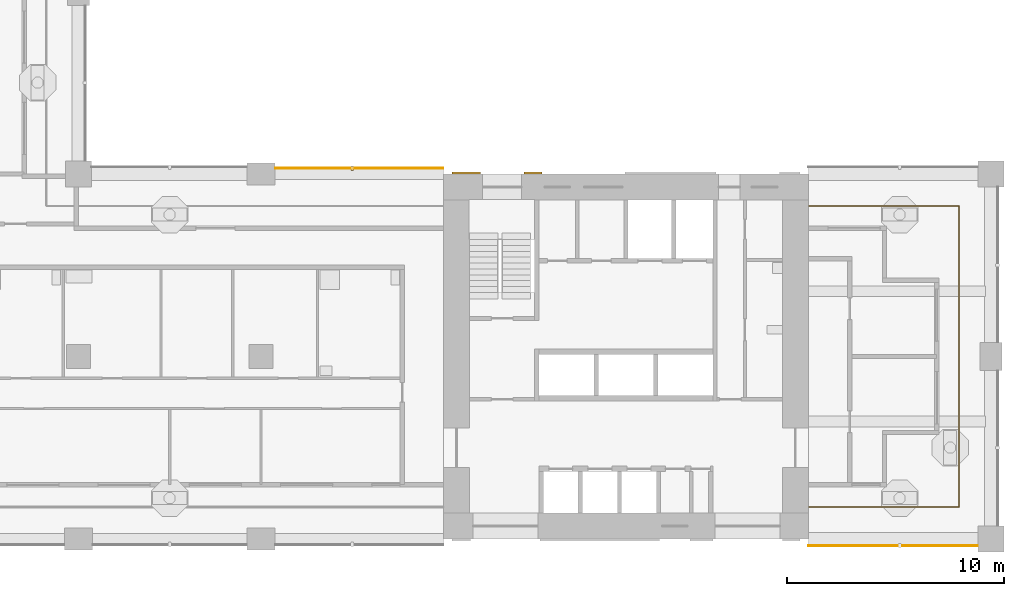
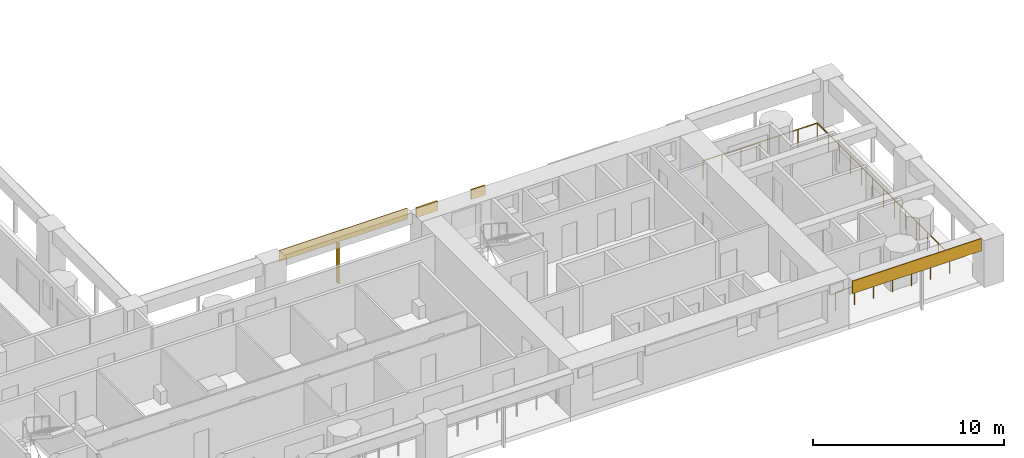
# One storey, part 12 of 18: 5 shading devices, 1 railing.
"""IFC4 building model written with IfcOpenShell, lengths in metres."""

import ifcopenshell
import ifcopenshell.guid

model = None  # the IFC model being written
_history = None  # IfcOwnerHistory: only IFC2X3 demands one
_inside = {}  # id of a spatial element -> (the spatial element, [elements in it])
_under = {}  # id of a project, library or spatial element -> (it, [spatial elements below it])
_declared = {}  # id of a project -> (the project, [libraries it declares])
_typed = {}  # id of a type object -> (the type object, [elements of that type])
_made_of = {}  # id of a material, layer set ... -> (it, [elements and type objects made of it])


def new_model(schema):
    """Start an empty IFC model of exactly this schema.

    Asked for "IFC4X3", IfcOpenShell would pick the latest addendum, in which some entities
    have other attributes; the version numbers below select the first issue.
    IFC2X3 requires an IfcOwnerHistory on every rooted entity: one is made here for all.
    """
    global model, _history
    if schema == "IFC4X3":
        model = ifcopenshell.file(schema_version=(4, 3, 0, 0))
    else:
        model = ifcopenshell.file(schema=schema)
    _inside.clear()
    _under.clear()
    _declared.clear()
    _typed.clear()
    _made_of.clear()
    _history = None
    if model.schema == "IFC2X3":
        org = make("IfcOrganization", Name="unknown")
        user = make(
            "IfcPersonAndOrganization",
            ThePerson=make("IfcPerson", FamilyName="unknown"),
            TheOrganization=org,
        )
        app = make(
            "IfcApplication",
            ApplicationDeveloper=org,
            Version="unknown",
            ApplicationFullName="unknown",
            ApplicationIdentifier="unknown",
        )
        _history = make(
            "IfcOwnerHistory",
            OwningUser=user,
            OwningApplication=app,
            ChangeAction="ADDED",
            CreationDate=0,
        )
    return model


def make(cls, **values):
    """One entity of the class cls with the attributes given. An attribute that is None is left unset."""
    return model.create_entity(
        cls, **{name: value for name, value in values.items() if value is not None}
    )


def rooted(cls, **values):
    """An entity with a GlobalId (a new one), such as an element, a storey or a relation."""
    return make(cls, GlobalId=ifcopenshell.guid.new(), OwnerHistory=_history, **values)


def si_unit(unit_type, name, prefix=None):
    """IfcSIUnit, for example si_unit("LENGTHUNIT", "METRE", prefix="MILLI")."""
    return make("IfcSIUnit", UnitType=unit_type, Prefix=prefix, Name=name)


def assignment(units):
    """IfcUnitAssignment: the units of a project."""
    return None if units is None else make("IfcUnitAssignment", Units=units)


def point(xyz):
    """IfcCartesianPoint."""
    return None if xyz is None else make("IfcCartesianPoint", Coordinates=xyz)


def direction(xyz):
    """IfcDirection."""
    return None if xyz is None else make("IfcDirection", DirectionRatios=xyz)


def frame(location, z_axis=None, x_axis=None):
    """IfcAxis2Placement3D, a coordinate frame: its origin and axes. An axis left out is left unset."""
    return make(
        "IfcAxis2Placement3D",
        Location=point(location),
        Axis=direction(z_axis),
        RefDirection=direction(x_axis),
    )


def frame_2d(location, x_axis=None):
    """IfcAxis2Placement2D, a coordinate frame in the plane: its origin and x axis."""
    return make(
        "IfcAxis2Placement2D", Location=point(location), RefDirection=direction(x_axis)
    )


def origin():
    """The frame at (0, 0, 0) with its axes left unset."""
    return frame((0.0, 0.0, 0.0))


def origin_2d():
    """The frame at (0, 0) in the plane with its x axis left unset."""
    return frame_2d((0.0, 0.0))


def place(relative_to, where):
    """IfcLocalPlacement: puts the frame where relative to a parent placement (None: the world)."""
    return make(
        "IfcLocalPlacement", PlacementRelTo=relative_to, RelativePlacement=where
    )


def context(
    kind, dimensions, precision=None, world=None, true_north=None, identifier=None
):
    """IfcGeometricRepresentationContext, for example the 3D "Model" context."""
    return make(
        "IfcGeometricRepresentationContext",
        ContextIdentifier=identifier,
        ContextType=kind,
        CoordinateSpaceDimension=dimensions,
        Precision=precision,
        WorldCoordinateSystem=world,
        TrueNorth=true_north,
    )


def subcontext(parent, identifier, kind, view, scale=None):
    """IfcGeometricRepresentationSubContext, for example "Body" below "Model"."""
    return make(
        "IfcGeometricRepresentationSubContext",
        ContextIdentifier=identifier,
        ContextType=kind,
        ParentContext=parent,
        TargetScale=scale,
        TargetView=view,
    )


def project(units=None, contexts=None):
    """IfcProject with its units and contexts."""
    return rooted(
        "IfcProject",
        Name="project",
        RepresentationContexts=contexts,
        UnitsInContext=assignment(units),
    )


def spatial(cls, under=None, at=None, **own):
    """A site, building, storey or space (cls), placed at a placement, below another one or the project."""
    s = rooted(cls, ObjectPlacement=at, **own)
    if under is not None:
        _under.setdefault(under.id(), (under, []))[1].append(s)
    return s


def profile(cls, at=None, kind="AREA", **sizes):
    """A parametric profile (cls). Its sizes go by their IFC names, for example OverallWidth=200.0."""
    return make(cls, ProfileType=kind, Position=at, **sizes)


def rectangle(**sizes):
    """IfcRectangleProfileDef."""
    return profile("IfcRectangleProfileDef", **sizes)


def circle(**sizes):
    """IfcCircleProfileDef."""
    return profile("IfcCircleProfileDef", **sizes)


def extrude(swept, where, along, depth):
    """IfcExtrudedAreaSolid: the profile swept, set in the frame where, extruded along a direction by depth."""
    return make(
        "IfcExtrudedAreaSolid",
        SweptArea=swept,
        Position=where,
        ExtrudedDirection=direction(along),
        Depth=depth,
    )


def shape(context_of_items, identifier, shape_type, items):
    """IfcShapeRepresentation: the items that make up one representation, for example the "Body"."""
    return make(
        "IfcShapeRepresentation",
        ContextOfItems=context_of_items,
        RepresentationIdentifier=identifier,
        RepresentationType=shape_type,
        Items=items,
    )


def material(Name=None, Category=None):
    """IfcMaterial."""
    return make("IfcMaterial", Name=Name, Category=Category)


def layer(
    of_material, thickness, ventilated=None, Name=None, Category=None, Priority=None
):
    """IfcMaterialLayer: one layer of a wall or slab, of a material (None: an air gap)."""
    return make(
        "IfcMaterialLayer",
        Material=of_material,
        LayerThickness=thickness,
        IsVentilated=ventilated,
        Name=Name,
        Category=Category,
        Priority=Priority,
    )


def layer_set(layers, Name=None):
    """IfcMaterialLayerSet."""
    return make("IfcMaterialLayerSet", MaterialLayers=layers, LayerSetName=Name)


def material_profile(
    of_material, cross_section, Name=None, Category=None, Priority=None
):
    """IfcMaterialProfile: a cross section and its material."""
    return make(
        "IfcMaterialProfile",
        Name=Name,
        Material=of_material,
        Profile=cross_section,
        Priority=Priority,
        Category=Category,
    )


def profile_set(profiles, Name=None, composite=None):
    """IfcMaterialProfileSet."""
    return make(
        "IfcMaterialProfileSet",
        Name=Name,
        MaterialProfiles=profiles,
        CompositeProfile=composite,
    )


def made_of(thing, what):
    """Note that an element or type object is made of a material, layer set ...; save() writes the relation."""
    if what is not None:
        _made_of.setdefault(what.id(), (what, []))[1].append(thing)
    return thing


def type_object(cls, material=None, **own):
    """A type object (cls), such as IfcWallType, which elements share."""
    return made_of(rooted(cls, **own), material)


def element(
    cls,
    number,
    at=None,
    inside=None,
    cuts=None,
    type_object=None,
    material=None,
    context=None,
    identifier="Body",
    shape_type=None,
    held_by="IfcProductDefinitionShape",
    body=None,
    shapes=None,
    **own,
):
    """One element of the class cls, such as IfcWall. Its Tag is "e" and its number.

    at: its placement. inside: the storey or other place that contains it. cuts: it is an
    opening in that element (IfcRelVoidsElement). A single representation is given by context,
    identifier, shape_type and body (its items); several are given by shapes. held_by: the class
    of the entity that holds the representations. save() writes the other relations.
    """
    e = rooted(cls, Tag="e%d" % number, ObjectPlacement=at, **own)
    if body is not None:
        shapes = [shape(context, identifier, shape_type, body)]
    if shapes is not None:
        e.Representation = make(held_by, Representations=shapes)
    if inside is not None:
        _inside.setdefault(inside.id(), (inside, []))[1].append(e)
    if cuts is not None:
        rooted(
            "IfcRelVoidsElement", RelatingBuildingElement=cuts, RelatedOpeningElement=e
        )
    if type_object is not None:
        _typed.setdefault(type_object.id(), (type_object, []))[1].append(e)
    return made_of(e, material)


def aggregate(whole, parts):
    """IfcRelAggregates: a whole, such as a stair, and the parts it consists of."""
    return rooted("IfcRelAggregates", RelatingObject=whole, RelatedObjects=parts)


def save(model, path):
    """Write the relations noted so far, then the file.

    IfcRelAggregates (storeys below a building ...), IfcRelContainedInSpatialStructure (elements
    in a storey), IfcRelDefinesByType, IfcRelAssociatesMaterial and IfcRelDeclares: one each for
    every whole, place, type object, material and project.
    """
    for whole, parts in _under.values():
        aggregate(whole, parts)
    for where, things in _inside.values():
        rooted(
            "IfcRelContainedInSpatialStructure",
            RelatedElements=things,
            RelatingStructure=where,
        )
    for kind, things in _typed.values():
        rooted("IfcRelDefinesByType", RelatedObjects=things, RelatingType=kind)
    for what, things in _made_of.values():
        rooted("IfcRelAssociatesMaterial", RelatedObjects=things, RelatingMaterial=what)
    for by, libraries in _declared.values():
        rooted("IfcRelDeclares", RelatingContext=by, RelatedDefinitions=libraries)
    model.write(path)


model = new_model("IFC4")

# Units and contexts
model_context = context("Model", 3, precision=1e-05, world=origin(), true_north=direction((0.0, 1.0)))
body_context = subcontext(model_context, "Body", "Model", "MODEL_VIEW")
ifc_project = project(units=[si_unit("LENGTHUNIT", "METRE"), si_unit("AREAUNIT", "SQUARE_METRE"), si_unit("VOLUMEUNIT", "CUBIC_METRE"), si_unit("PLANEANGLEUNIT", "RADIAN"), si_unit("MASSUNIT", "GRAM", prefix="KILO")], contexts=[model_context])

# Site, building, storey
site_placement = place(None, origin())
site = spatial("IfcSite", under=ifc_project, at=site_placement, CompositionType="ELEMENT")
building_placement = place(site_placement, origin())
building = spatial("IfcBuilding", under=site, at=building_placement, Name="Vermilion Gate Residences", CompositionType="ELEMENT")
storey_placement = place(building_placement, frame((0.0, 0.0, 137.199951171875)))
storey = spatial("IfcBuildingStorey", under=building, at=storey_placement, Name="L35", CompositionType="ELEMENT", Elevation=137.199951171875)

# Railing
ifc_material_1 = material(Name="Stainless steel and toughened glass", Category="steel")
railing_type = type_object("IfcRailingType", Name="LOGGIA GUARD STEEL AND GLASS 1200", PredefinedType="GUARDRAIL", material=ifc_material_1)
railing_placement = place(storey_placement, frame((58.822021484375, 9.875, 0.0)))
element("IfcRailing", 1, at=railing_placement, inside=storey, type_object=railing_type, Name="Loggia guard", PredefinedType="GUARDRAIL", context=body_context, shape_type="SweptSolid", body=[
    extrude(circle(Radius=0.030029296875, at=origin_2d()), frame((0.0, 0.0, 1.169921875), z_axis=(1.0, 0.0, 0.0), x_axis=(0.0, 1.0, 0.0)), (0.0, 0.0, 1.0), 6.903076171875),
    extrude(circle(Radius=0.030029296875, at=origin_2d()), frame((6.903076171875, 0.0, 1.169921875), z_axis=(0.0, 1.0, 0.0), x_axis=(-1.0, 0.0, 0.0)), (0.0, 0.0, 1.0), 13.85009765625),
    extrude(circle(Radius=0.030029296875, at=origin_2d()), frame((6.903076171875, 13.85009765625, 1.169921875), z_axis=(-1.0, 0.0, 0.0), x_axis=(0.0, -1.0, 0.0)), (0.0, 0.0, 1.0), 6.903076171875),
    extrude(circle(Radius=0.02490234375, at=origin_2d()), origin(), (0.0, 0.0, 1.0), 1.139892578125),
    extrude(circle(Radius=0.02490234375, at=origin_2d()), frame((1.150390625, 0.0, 0.0)), (0.0, 0.0, 1.0), 1.139892578125),
    extrude(circle(Radius=0.02490234375, at=origin_2d()), frame((2.301025390625, 0.0, 0.0)), (0.0, 0.0, 1.0), 1.139892578125),
    extrude(circle(Radius=0.02490234375, at=origin_2d()), frame((3.45166015625, 0.0, 0.0)), (0.0, 0.0, 1.0), 1.139892578125),
    extrude(circle(Radius=0.02490234375, at=origin_2d()), frame((4.60205078125, 0.0, 0.0)), (0.0, 0.0, 1.0), 1.139892578125),
    extrude(circle(Radius=0.02490234375, at=origin_2d()), frame((5.75244140625, 0.0, 0.0)), (0.0, 0.0, 1.0), 1.139892578125),
    extrude(circle(Radius=0.02490234375, at=origin_2d()), frame((6.903076171875, 0.0, 0.0)), (0.0, 0.0, 1.0), 1.139892578125),
    extrude(circle(Radius=0.02490234375, at=origin_2d()), frame((6.903076171875, 1.154296875, 0.0)), (0.0, 0.0, 1.0), 1.139892578125),
    extrude(circle(Radius=0.02490234375, at=origin_2d()), frame((6.903076171875, 2.308349609375, 0.0)), (0.0, 0.0, 1.0), 1.139892578125),
    extrude(circle(Radius=0.02490234375, at=origin_2d()), frame((6.903076171875, 3.46240234375, 0.0)), (0.0, 0.0, 1.0), 1.139892578125),
    extrude(circle(Radius=0.02490234375, at=origin_2d()), frame((6.903076171875, 4.61669921875, 0.0)), (0.0, 0.0, 1.0), 1.139892578125),
    extrude(circle(Radius=0.02490234375, at=origin_2d()), frame((6.903076171875, 5.77099609375, 0.0)), (0.0, 0.0, 1.0), 1.139892578125),
    extrude(circle(Radius=0.02490234375, at=origin_2d()), frame((6.903076171875, 6.925048828125, 0.0)), (0.0, 0.0, 1.0), 1.139892578125),
    extrude(circle(Radius=0.02490234375, at=origin_2d()), frame((6.903076171875, 8.0791015625, 0.0)), (0.0, 0.0, 1.0), 1.139892578125),
    extrude(circle(Radius=0.02490234375, at=origin_2d()), frame((6.903076171875, 9.2333984375, 0.0)), (0.0, 0.0, 1.0), 1.139892578125),
    extrude(circle(Radius=0.02490234375, at=origin_2d()), frame((6.903076171875, 10.3876953125, 0.0)), (0.0, 0.0, 1.0), 1.139892578125),
    extrude(circle(Radius=0.02490234375, at=origin_2d()), frame((6.903076171875, 11.541748046875, 0.0)), (0.0, 0.0, 1.0), 1.139892578125),
    extrude(circle(Radius=0.02490234375, at=origin_2d()), frame((6.903076171875, 12.69580078125, 0.0)), (0.0, 0.0, 1.0), 1.139892578125),
    extrude(circle(Radius=0.02490234375, at=origin_2d()), frame((6.903076171875, 13.85009765625, 0.0)), (0.0, 0.0, 1.0), 1.139892578125),
    extrude(circle(Radius=0.02490234375, at=origin_2d()), frame((5.75244140625, 13.85009765625, 0.0)), (0.0, 0.0, 1.0), 1.139892578125),
    extrude(circle(Radius=0.02490234375, at=origin_2d()), frame((4.60205078125, 13.85009765625, 0.0)), (0.0, 0.0, 1.0), 1.139892578125),
    extrude(circle(Radius=0.02490234375, at=origin_2d()), frame((3.45166015625, 13.85009765625, 0.0)), (0.0, 0.0, 1.0), 1.139892578125),
    extrude(circle(Radius=0.02490234375, at=origin_2d()), frame((2.301025390625, 13.85009765625, 0.0)), (0.0, 0.0, 1.0), 1.139892578125),
    extrude(circle(Radius=0.02490234375, at=origin_2d()), frame((1.150390625, 13.85009765625, 0.0)), (0.0, 0.0, 1.0), 1.139892578125),
    extrude(circle(Radius=0.02490234375, at=origin_2d()), frame((0.0, 13.85009765625, 0.0)), (0.0, 0.0, 1.0), 1.139892578125),
])

# Shading devices
ifc_material_2 = material(Name="Perforated terracotta", Category="masonry")
ifc_layer_1 = layer(ifc_material_2, 0.0400390625)
ifc_layer_set_1 = layer_set([ifc_layer_1], Name="PERFORATED TERRACOTTA SCREEN 40")
shading_device_type_1 = type_object("IfcShadingDeviceType", Name="PERFORATED TERRACOTTA SCREEN 40", PredefinedType="SHUTTER", material=ifc_layer_set_1)
shading_device_1_placement = place(storey_placement, frame((62.699951171875, 8.080078125, 2.2001953125), z_axis=(0.0, 0.0, 1.0), x_axis=(1.0, 0.0, 0.0)))
element("IfcShadingDevice", 2, at=shading_device_1_placement, inside=storey, type_object=shading_device_type_1, Name="SCREEN", PredefinedType="SHUTTER", context=body_context, shape_type="SweptSolid", body=[
    extrude(rectangle(XDim=7.800048828125, YDim=0.0400390625, at=origin_2d()), origin(), (0.0, 0.0, 1.0), 0.800048828125),
])
shading_device_2_placement = place(storey_placement, frame((38.125, 25.469970703125, 2.30029296875), z_axis=(0.0, 0.0, 1.0), x_axis=(-1.0, 0.0, 0.0)))
element("IfcShadingDevice", 3, at=shading_device_2_placement, inside=storey, type_object=shading_device_type_1, Name="SCREEN", PredefinedType="SHUTTER", context=body_context, shape_type="SweptSolid", body=[
    extrude(rectangle(XDim=7.75, YDim=0.0400390625, at=origin_2d()), origin(), (0.0, 0.0, 1.0), 0.699951171875),
])
ifc_material_3 = material(Name="Extruded terracotta", Category="masonry")
ifc_material_profile = material_profile(ifc_material_3, rectangle(XDim=0.199951171875, YDim=0.10009765625, at=origin_2d()), Name="BAGUETTE 100 X 200")
ifc_profile_set = profile_set([ifc_material_profile], Name="Extruded terracotta")
shading_device_type_2 = type_object("IfcShadingDeviceType", Name="TERRACOTTA BAGUETTE 100 X 200", PredefinedType="JALOUSIE", material=ifc_profile_set)
shading_device_3_placement = place(storey_placement, frame((37.800048828125, 25.449951171875, -0.280029296875), z_axis=(0.0, 0.0, 1.0), x_axis=(0.0, -1.0, 0.0)))
element("IfcShadingDevice", 4, at=shading_device_3_placement, inside=storey, type_object=shading_device_type_2, Name="BAGUETTE", PredefinedType="JALOUSIE", context=body_context, shape_type="SweptSolid", body=[
    extrude(rectangle(XDim=0.199951171875, YDim=0.10009765625, at=origin_2d()), origin(), (0.0, 0.0, 1.0), 2.580078125),
])
ifc_material_4 = material(Name="Extruded terracotta", Category="masonry")
ifc_layer_2 = layer(ifc_material_4, 0.10009765625)
ifc_layer_set_2 = layer_set([ifc_layer_2], Name="TERRACOTTA SPANDREL BAND 600 X 100")
shading_device_type_3 = type_object("IfcShadingDeviceType", Name="TERRACOTTA SPANDREL BAND 600 X 100", PredefinedType="USERDEFINED", material=ifc_layer_set_2)
shading_device_4_placement = place(storey_placement, frame((43.050048828125, 25.25, 2.39990234375), z_axis=(0.0, 0.0, 1.0), x_axis=(1.0, 0.0, 0.0)))
element("IfcShadingDevice", 5, at=shading_device_4_placement, inside=storey, type_object=shading_device_type_3, Name="SPANDREL BAND", ObjectType="BAND", PredefinedType="USERDEFINED", context=body_context, shape_type="SweptSolid", body=[
    extrude(rectangle(XDim=1.300048828125, YDim=0.10009765625, at=origin_2d()), origin(), (0.0, 0.0, 1.0), 0.60009765625),
])
shading_device_5_placement = place(storey_placement, frame((46.121826171875, 25.25, 2.39990234375), z_axis=(0.0, 0.0, 1.0), x_axis=(1.0, 0.0, 0.0)))
element("IfcShadingDevice", 6, at=shading_device_5_placement, inside=storey, type_object=shading_device_type_3, Name="SPANDREL BAND", ObjectType="BAND", PredefinedType="USERDEFINED", context=body_context, shape_type="SweptSolid", body=[
    extrude(rectangle(XDim=0.84375, YDim=0.10009765625, at=origin_2d()), origin(), (0.0, 0.0, 1.0), 0.60009765625),
])

save(model, "model.ifc")
